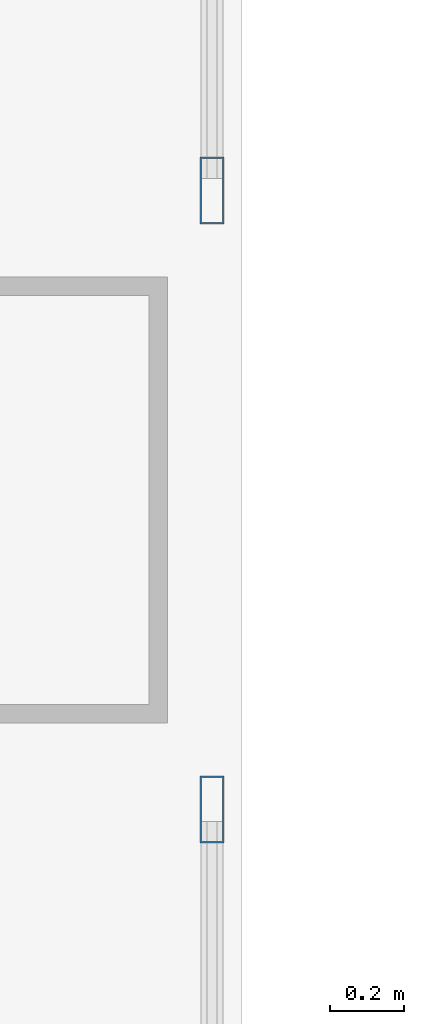
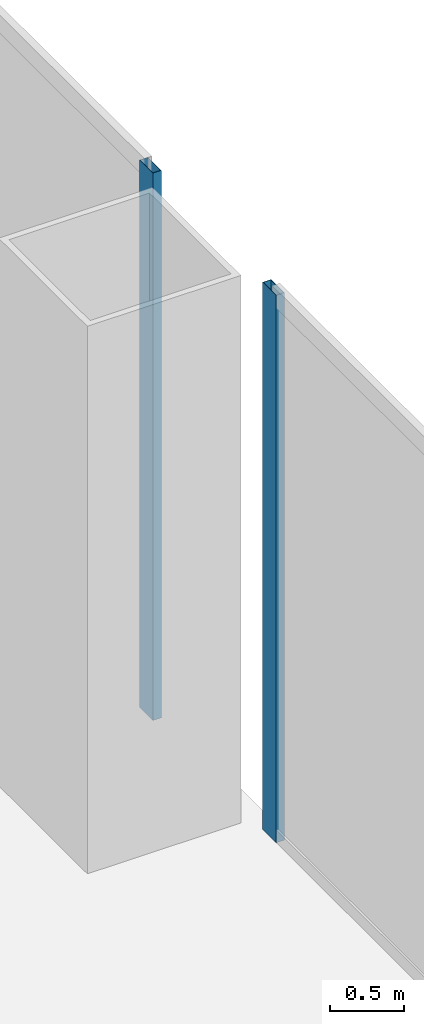
# One storey, part 21 of 58: 2 members, 2 elements without a shape of their own.
"""IFC4 building model written with IfcOpenShell, lengths in metres."""

from ifc_helpers import new_model, si_unit, direction, frame, origin, origin_2d, place, context, subcontext, project, spatial, hollow_rectangle, extrude, source, transform, mapped, material, layer, layer_set, material_profile, profile_set, type_object, element, aggregate, save


model = new_model("IFC4")

# Units and contexts
model_context = context("Model", 3, precision=1e-05, world=origin(), true_north=direction((0.0, 1.0)))
body_context = subcontext(model_context, "Body", "Model", "MODEL_VIEW")
ifc_project = project(units=[si_unit("LENGTHUNIT", "METRE"), si_unit("AREAUNIT", "SQUARE_METRE"), si_unit("VOLUMEUNIT", "CUBIC_METRE"), si_unit("PLANEANGLEUNIT", "RADIAN"), si_unit("MASSUNIT", "GRAM", prefix="KILO"), si_unit("THERMODYNAMICTEMPERATUREUNIT", "KELVIN"), si_unit("POWERUNIT", "WATT")], contexts=[model_context])

# Site, building, storey
site_placement = place(None, origin())
site = spatial("IfcSite", under=ifc_project, at=site_placement, CompositionType="ELEMENT")
building_placement = place(site_placement, origin())
building = spatial("IfcBuilding", under=site, at=building_placement, Name="Yunzhuo Pagoda Commons", CompositionType="ELEMENT")
storey_placement = place(building_placement, origin())
storey = spatial("IfcBuildingStorey", under=building, at=storey_placement, Name="L01", CompositionType="ELEMENT", Elevation=0.0)

# Curtain wall, member
ifc_material = material(Name="Anodized aluminium 6063-T6", Category="aluminium")
ifc_layer = layer(ifc_material, 0.179931640625)
ifc_layer_set = layer_set([ifc_layer], Name="Anodized aluminium 6063-T6")
curtain_wall_type = type_object("IfcCurtainWallType", Name="CW-POD Waterfront Podium Curtain Wall", PredefinedType="NOTDEFINED", material=ifc_layer_set)
curtain_wall_1_placement = place(storey_placement, origin())
curtain_wall_1 = element("IfcCurtainWall", 1, at=curtain_wall_1_placement, inside=storey, type_object=curtain_wall_type, Name="L01 curtain wall CW-L01-E1", PredefinedType="NOTDEFINED")
ifc_material_profile = material_profile(ifc_material, hollow_rectangle(XDim=0.06494140625, YDim=0.179931640625, WallThickness=0.00390625, at=origin_2d()), Name="Anodized aluminium 6063-T6")
ifc_profile_set = profile_set([ifc_material_profile], Name="Anodized aluminium 6063-T6")
member_type = type_object("IfcMemberType", Name="CW-POD-M Mullion RHS 180x65x4", PredefinedType="MULLION", material=ifc_profile_set)
shared_shape = source(origin(), body_context, "Body", "SweptSolid", [
    extrude(hollow_rectangle(XDim=0.06494140625, YDim=0.179931640625, WallThickness=0.00390625, at=origin_2d()), origin(), (0.0, 0.0, 1.0), 4.520263671875),
])
member_1_placement = place(storey_placement, frame((91.919921875, 21.167724609375, 0.0), z_axis=(0.0, 0.0, 1.0), x_axis=(-1.0, 0.0, 0.0)))
member_1 = element("IfcMember", 2, at=member_1_placement, type_object=member_type, Name="CW mullion 3", PredefinedType="MULLION", context=body_context, shape_type="MappedRepresentation", body=[
    mapped(shared_shape, transform((0.0, 0.0, 0.0), scale=1.0)),
])
aggregate(curtain_wall_1, [member_1])

curtain_wall_2_placement = place(storey_placement, origin())
curtain_wall_2 = element("IfcCurtainWall", 3, at=curtain_wall_2_placement, inside=storey, type_object=curtain_wall_type, Name="L01 curtain wall CW-L01-E2", PredefinedType="NOTDEFINED")
member_2_placement = place(storey_placement, frame((91.919921875, 22.832763671875, 0.0), z_axis=(0.0, 0.0, 1.0), x_axis=(-1.0, 0.0, 0.0)))
member_2 = element("IfcMember", 4, at=member_2_placement, type_object=member_type, Name="CW mullion 1", PredefinedType="MULLION", context=body_context, shape_type="MappedRepresentation", body=[
    mapped(shared_shape, transform((0.0, 0.0, 0.0), scale=1.0)),
])
aggregate(curtain_wall_2, [member_2])

save(model, "model.ifc")
